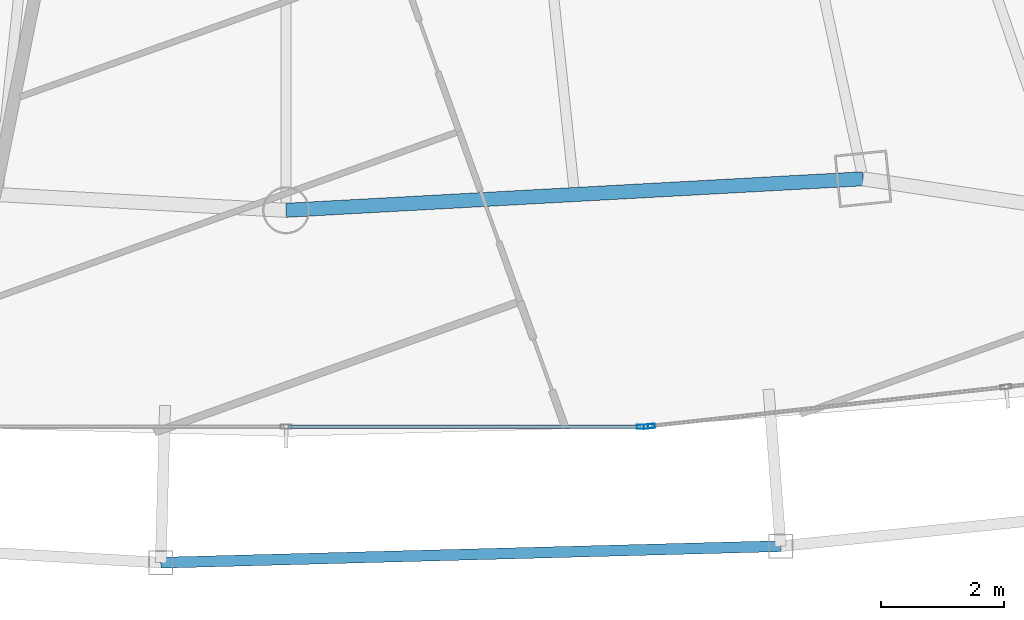
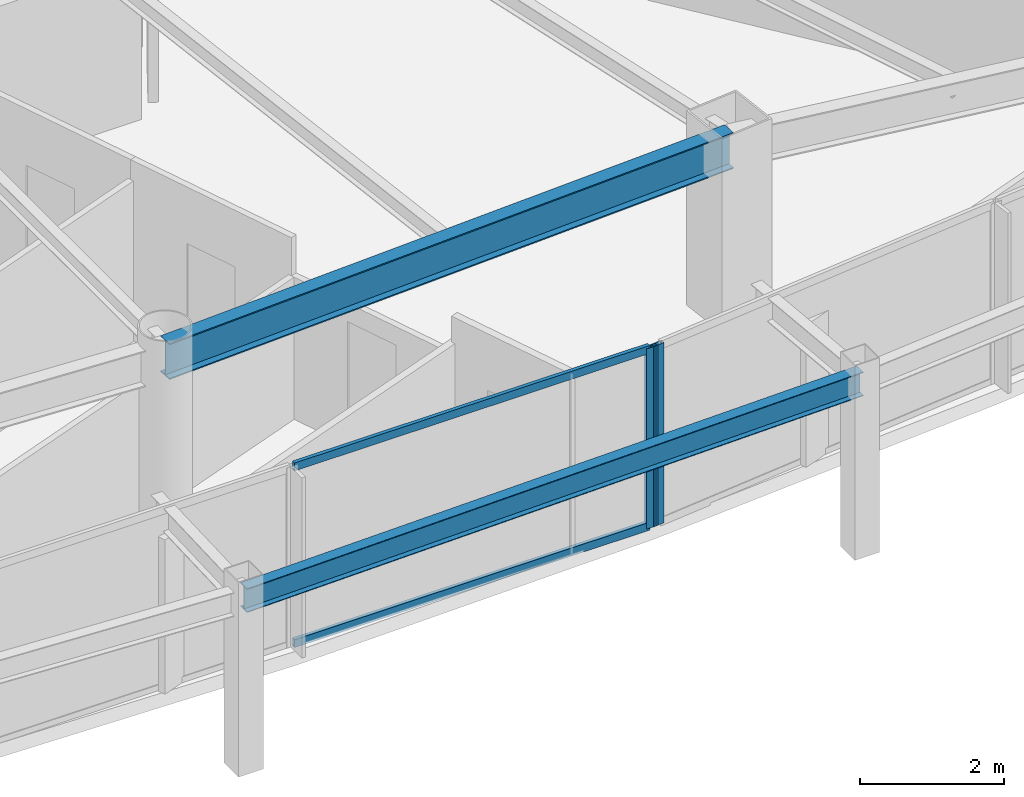
# One storey, part 8 of 30: 4 members, 2 beams, 2 elements without a shape of their own.
"""IFC4 building model written with IfcOpenShell, lengths in metres."""

import ifcopenshell
import ifcopenshell.guid

model = None  # the IFC model being written
_history = None  # IfcOwnerHistory: only IFC2X3 demands one
_inside = {}  # id of a spatial element -> (the spatial element, [elements in it])
_under = {}  # id of a project, library or spatial element -> (it, [spatial elements below it])
_declared = {}  # id of a project -> (the project, [libraries it declares])
_typed = {}  # id of a type object -> (the type object, [elements of that type])
_made_of = {}  # id of a material, layer set ... -> (it, [elements and type objects made of it])


def new_model(schema):
    """Start an empty IFC model of exactly this schema.

    Asked for "IFC4X3", IfcOpenShell would pick the latest addendum, in which some entities
    have other attributes; the version numbers below select the first issue.
    IFC2X3 requires an IfcOwnerHistory on every rooted entity: one is made here for all.
    """
    global model, _history
    if schema == "IFC4X3":
        model = ifcopenshell.file(schema_version=(4, 3, 0, 0))
    else:
        model = ifcopenshell.file(schema=schema)
    _inside.clear()
    _under.clear()
    _declared.clear()
    _typed.clear()
    _made_of.clear()
    _history = None
    if model.schema == "IFC2X3":
        org = make("IfcOrganization", Name="unknown")
        user = make(
            "IfcPersonAndOrganization",
            ThePerson=make("IfcPerson", FamilyName="unknown"),
            TheOrganization=org,
        )
        app = make(
            "IfcApplication",
            ApplicationDeveloper=org,
            Version="unknown",
            ApplicationFullName="unknown",
            ApplicationIdentifier="unknown",
        )
        _history = make(
            "IfcOwnerHistory",
            OwningUser=user,
            OwningApplication=app,
            ChangeAction="ADDED",
            CreationDate=0,
        )
    return model


def make(cls, **values):
    """One entity of the class cls with the attributes given. An attribute that is None is left unset."""
    return model.create_entity(
        cls, **{name: value for name, value in values.items() if value is not None}
    )


def rooted(cls, **values):
    """An entity with a GlobalId (a new one), such as an element, a storey or a relation."""
    return make(cls, GlobalId=ifcopenshell.guid.new(), OwnerHistory=_history, **values)


def si_unit(unit_type, name, prefix=None):
    """IfcSIUnit, for example si_unit("LENGTHUNIT", "METRE", prefix="MILLI")."""
    return make("IfcSIUnit", UnitType=unit_type, Prefix=prefix, Name=name)


def assignment(units):
    """IfcUnitAssignment: the units of a project."""
    return None if units is None else make("IfcUnitAssignment", Units=units)


def point(xyz):
    """IfcCartesianPoint."""
    return None if xyz is None else make("IfcCartesianPoint", Coordinates=xyz)


def direction(xyz):
    """IfcDirection."""
    return None if xyz is None else make("IfcDirection", DirectionRatios=xyz)


def frame(location, z_axis=None, x_axis=None):
    """IfcAxis2Placement3D, a coordinate frame: its origin and axes. An axis left out is left unset."""
    return make(
        "IfcAxis2Placement3D",
        Location=point(location),
        Axis=direction(z_axis),
        RefDirection=direction(x_axis),
    )


def frame_2d(location, x_axis=None):
    """IfcAxis2Placement2D, a coordinate frame in the plane: its origin and x axis."""
    return make(
        "IfcAxis2Placement2D", Location=point(location), RefDirection=direction(x_axis)
    )


def origin():
    """The frame at (0, 0, 0) with its axes left unset."""
    return frame((0.0, 0.0, 0.0))


def origin_2d():
    """The frame at (0, 0) in the plane with its x axis left unset."""
    return frame_2d((0.0, 0.0))


def place(relative_to, where):
    """IfcLocalPlacement: puts the frame where relative to a parent placement (None: the world)."""
    return make(
        "IfcLocalPlacement", PlacementRelTo=relative_to, RelativePlacement=where
    )


def context(
    kind, dimensions, precision=None, world=None, true_north=None, identifier=None
):
    """IfcGeometricRepresentationContext, for example the 3D "Model" context."""
    return make(
        "IfcGeometricRepresentationContext",
        ContextIdentifier=identifier,
        ContextType=kind,
        CoordinateSpaceDimension=dimensions,
        Precision=precision,
        WorldCoordinateSystem=world,
        TrueNorth=true_north,
    )


def subcontext(parent, identifier, kind, view, scale=None):
    """IfcGeometricRepresentationSubContext, for example "Body" below "Model"."""
    return make(
        "IfcGeometricRepresentationSubContext",
        ContextIdentifier=identifier,
        ContextType=kind,
        ParentContext=parent,
        TargetScale=scale,
        TargetView=view,
    )


def project(units=None, contexts=None):
    """IfcProject with its units and contexts."""
    return rooted(
        "IfcProject",
        Name="project",
        RepresentationContexts=contexts,
        UnitsInContext=assignment(units),
    )


def spatial(cls, under=None, at=None, **own):
    """A site, building, storey or space (cls), placed at a placement, below another one or the project."""
    s = rooted(cls, ObjectPlacement=at, **own)
    if under is not None:
        _under.setdefault(under.id(), (under, []))[1].append(s)
    return s


def profile(cls, at=None, kind="AREA", **sizes):
    """A parametric profile (cls). Its sizes go by their IFC names, for example OverallWidth=200.0."""
    return make(cls, ProfileType=kind, Position=at, **sizes)


def hollow_rectangle(**sizes):
    """IfcRectangleHollowProfileDef."""
    return profile("IfcRectangleHollowProfileDef", **sizes)


def i_section(**sizes):
    """IfcIShapeProfileDef."""
    return profile("IfcIShapeProfileDef", **sizes)


def extrude(swept, where, along, depth):
    """IfcExtrudedAreaSolid: the profile swept, set in the frame where, extruded along a direction by depth."""
    return make(
        "IfcExtrudedAreaSolid",
        SweptArea=swept,
        Position=where,
        ExtrudedDirection=direction(along),
        Depth=depth,
    )


def shape(context_of_items, identifier, shape_type, items):
    """IfcShapeRepresentation: the items that make up one representation, for example the "Body"."""
    return make(
        "IfcShapeRepresentation",
        ContextOfItems=context_of_items,
        RepresentationIdentifier=identifier,
        RepresentationType=shape_type,
        Items=items,
    )


def material(Name=None, Category=None):
    """IfcMaterial."""
    return make("IfcMaterial", Name=Name, Category=Category)


def layer(
    of_material, thickness, ventilated=None, Name=None, Category=None, Priority=None
):
    """IfcMaterialLayer: one layer of a wall or slab, of a material (None: an air gap)."""
    return make(
        "IfcMaterialLayer",
        Material=of_material,
        LayerThickness=thickness,
        IsVentilated=ventilated,
        Name=Name,
        Category=Category,
        Priority=Priority,
    )


def layer_set(layers, Name=None):
    """IfcMaterialLayerSet."""
    return make("IfcMaterialLayerSet", MaterialLayers=layers, LayerSetName=Name)


def material_profile(
    of_material, cross_section, Name=None, Category=None, Priority=None
):
    """IfcMaterialProfile: a cross section and its material."""
    return make(
        "IfcMaterialProfile",
        Name=Name,
        Material=of_material,
        Profile=cross_section,
        Priority=Priority,
        Category=Category,
    )


def profile_set(profiles, Name=None, composite=None):
    """IfcMaterialProfileSet."""
    return make(
        "IfcMaterialProfileSet",
        Name=Name,
        MaterialProfiles=profiles,
        CompositeProfile=composite,
    )


def made_of(thing, what):
    """Note that an element or type object is made of a material, layer set ...; save() writes the relation."""
    if what is not None:
        _made_of.setdefault(what.id(), (what, []))[1].append(thing)
    return thing


def type_object(cls, material=None, **own):
    """A type object (cls), such as IfcWallType, which elements share."""
    return made_of(rooted(cls, **own), material)


def element(
    cls,
    number,
    at=None,
    inside=None,
    cuts=None,
    type_object=None,
    material=None,
    context=None,
    identifier="Body",
    shape_type=None,
    held_by="IfcProductDefinitionShape",
    body=None,
    shapes=None,
    **own,
):
    """One element of the class cls, such as IfcWall. Its Tag is "e" and its number.

    at: its placement. inside: the storey or other place that contains it. cuts: it is an
    opening in that element (IfcRelVoidsElement). A single representation is given by context,
    identifier, shape_type and body (its items); several are given by shapes. held_by: the class
    of the entity that holds the representations. save() writes the other relations.
    """
    e = rooted(cls, Tag="e%d" % number, ObjectPlacement=at, **own)
    if body is not None:
        shapes = [shape(context, identifier, shape_type, body)]
    if shapes is not None:
        e.Representation = make(held_by, Representations=shapes)
    if inside is not None:
        _inside.setdefault(inside.id(), (inside, []))[1].append(e)
    if cuts is not None:
        rooted(
            "IfcRelVoidsElement", RelatingBuildingElement=cuts, RelatedOpeningElement=e
        )
    if type_object is not None:
        _typed.setdefault(type_object.id(), (type_object, []))[1].append(e)
    return made_of(e, material)


def aggregate(whole, parts):
    """IfcRelAggregates: a whole, such as a stair, and the parts it consists of."""
    return rooted("IfcRelAggregates", RelatingObject=whole, RelatedObjects=parts)


def save(model, path):
    """Write the relations noted so far, then the file.

    IfcRelAggregates (storeys below a building ...), IfcRelContainedInSpatialStructure (elements
    in a storey), IfcRelDefinesByType, IfcRelAssociatesMaterial and IfcRelDeclares: one each for
    every whole, place, type object, material and project.
    """
    for whole, parts in _under.values():
        aggregate(whole, parts)
    for where, things in _inside.values():
        rooted(
            "IfcRelContainedInSpatialStructure",
            RelatedElements=things,
            RelatingStructure=where,
        )
    for kind, things in _typed.values():
        rooted("IfcRelDefinesByType", RelatedObjects=things, RelatingType=kind)
    for what, things in _made_of.values():
        rooted("IfcRelAssociatesMaterial", RelatedObjects=things, RelatingMaterial=what)
    for by, libraries in _declared.values():
        rooted("IfcRelDeclares", RelatingContext=by, RelatedDefinitions=libraries)
    model.write(path)


model = new_model("IFC4")

# Units and contexts
model_context = context("Model", 3, precision=1e-05, world=origin(), true_north=direction((0.0, 1.0)))
body_context = subcontext(model_context, "Body", "Model", "MODEL_VIEW")
ifc_project = project(units=[si_unit("LENGTHUNIT", "METRE"), si_unit("AREAUNIT", "SQUARE_METRE"), si_unit("VOLUMEUNIT", "CUBIC_METRE"), si_unit("PLANEANGLEUNIT", "RADIAN"), si_unit("MASSUNIT", "GRAM", prefix="KILO")], contexts=[model_context])

# Site, building, storey
site_placement = place(None, origin())
site = spatial("IfcSite", under=ifc_project, at=site_placement, CompositionType="ELEMENT")
building_placement = place(site_placement, origin())
building = spatial("IfcBuilding", under=site, at=building_placement, Name="Orvanel Arch Residences", CompositionType="ELEMENT")
storey_placement = place(building_placement, frame((0.0, 0.0, 139.699951171875)))
storey = spatial("IfcBuildingStorey", under=building, at=storey_placement, Name="L39", CompositionType="ELEMENT", Elevation=139.699951171875)

# Curtain wall, member
ifc_material_1 = material(Name="Bronze-anodised aluminium AA6063-T6", Category="aluminium")
ifc_layer = layer(ifc_material_1, 0.179931640625)
ifc_layer_set = layer_set([ifc_layer], Name="Bronze-anodised aluminium AA6063-T6")
curtain_wall_type = type_object("IfcCurtainWallType", Name="CW3-MID-SYS", PredefinedType="NOTDEFINED", material=ifc_layer_set)
curtain_wall_1_placement = place(storey_placement, origin())
curtain_wall_1 = element("IfcCurtainWall", 1, at=curtain_wall_1_placement, inside=storey, type_object=curtain_wall_type, Name="L39 CW3-MID-SYS Unitised Curtain Wall", PredefinedType="NOTDEFINED")
ifc_material_profile_1 = material_profile(ifc_material_1, hollow_rectangle(XDim=0.070068359375, YDim=0.179931640625, WallThickness=0.00439453125, at=origin_2d()), Name="ALU180x70x4.5")
ifc_profile_set_1 = profile_set([ifc_material_profile_1], Name="Bronze-anodised aluminium AA6063-T6")
member_type_1 = type_object("IfcMemberType", Name="MUL-180x70", PredefinedType="MULLION", material=ifc_profile_set_1)
member_1_placement = place(storey_placement, frame((38.77587890625, 3.3369140625, 0.0), z_axis=(0.0, 0.0, 1.0), x_axis=(0.0, 1.0, 0.0)))
member_1 = element("IfcMember", 2, at=member_1_placement, type_object=member_type_1, Name="CW-S3 mullion 3", PredefinedType="MULLION", context=body_context, shape_type="SweptSolid", body=[
    extrude(hollow_rectangle(XDim=0.070068359375, YDim=0.179931640625, WallThickness=0.00439453125, at=origin_2d()), origin(), (0.0, 0.0, 1.0), 3.06005859375),
])

curtain_wall_2_placement = place(storey_placement, origin())
curtain_wall_2 = element("IfcCurtainWall", 3, at=curtain_wall_2_placement, inside=storey, type_object=curtain_wall_type, Name="L39 CW3-MID-SYS Unitised Curtain Wall", PredefinedType="NOTDEFINED")
member_2_placement = place(storey_placement, frame((38.8857421875, 3.3427734375, 0.0), z_axis=(0.0, 0.0, 1.0), x_axis=(-0.109856452012, 0.993947463376, 0.0)))
member_2 = element("IfcMember", 4, at=member_2_placement, type_object=member_type_1, Name="CW-S3 mullion 1", PredefinedType="MULLION", context=body_context, shape_type="SweptSolid", body=[
    extrude(hollow_rectangle(XDim=0.070068359375, YDim=0.179931640625, WallThickness=0.00439453125, at=origin_2d()), origin(), (0.0, 0.0, 1.0), 3.06005859375),
])
aggregate(curtain_wall_2, [member_2])

# Beams
ifc_material_2 = material(Name="Structural steel AS/NZS 3679.1 Grade 300 (300 MPa)", Category="steel")
ifc_material_profile_2 = material_profile(ifc_material_2, i_section(OverallWidth=0.177978515625, OverallDepth=0.406005859375, WebThickness=0.0078125, FlangeThickness=0.0126953125, at=origin_2d()), Name="410UB59.7")
ifc_profile_set_2 = profile_set([ifc_material_profile_2], Name="Structural steel AS/NZS 3679.1 Grade 300 (300 MPa)")
beam_type_1 = type_object("IfcBeamType", Name="OB-410UB-EXT", PredefinedType="SPANDREL", material=ifc_profile_set_2)
beam_1_placement = place(storey_placement, frame((30.967041015625, 1.132080078125, 2.85693359375), z_axis=(0.999645039407, 0.026641981687, 0.0), x_axis=(-0.026641981687, 0.999645039407, 0.0)))
element("IfcBeam", 5, at=beam_1_placement, inside=storey, type_object=beam_type_1, Name="L39 Outer Perimeter Floor Ring Beam 06", PredefinedType="SPANDREL", context=body_context, shape_type="SweptSolid", body=[
    extrude(i_section(OverallWidth=0.177978515625, OverallDepth=0.406005859375, WebThickness=0.0078125, FlangeThickness=0.0126953125, at=origin_2d()), origin(), (0.0, 0.0, 1.0), 10.052734375),
])
ifc_material_profile_3 = material_profile(ifc_material_2, i_section(OverallWidth=0.22900390625, OverallDepth=0.612060546875, WebThickness=0.011962890625, FlangeThickness=0.01953125, at=origin_2d()), Name="610UB125")
ifc_profile_set_3 = profile_set([ifc_material_profile_3], Name="Structural steel AS/NZS 3679.1 Grade 300 (300 MPa)")
beam_type_2 = type_object("IfcBeamType", Name="SP-610UB", PredefinedType="SPANDREL", material=ifc_profile_set_3)
beam_2_placement = place(storey_placement, frame((33.0, 6.843994140625, 2.754150390625), z_axis=(0.998510315598, 0.054563262768, 0.0), x_axis=(-0.054563262768, 0.998510315598, 0.0)))
element("IfcBeam", 6, at=beam_2_placement, inside=storey, type_object=beam_type_2, Name="L39 Perimeter Spandrel Beam 06", PredefinedType="SPANDREL", context=body_context, shape_type="SweptSolid", body=[
    extrude(i_section(OverallWidth=0.22900390625, OverallDepth=0.612060546875, WebThickness=0.011962890625, FlangeThickness=0.01953125, at=origin_2d()), origin(), (0.0, 0.0, 1.0), 9.364990234375),
])

# Member
ifc_material_profile_4 = material_profile(ifc_material_1, hollow_rectangle(XDim=0.06005859375, YDim=0.135009765625, WallThickness=0.00390625, at=origin_2d()), Name="ALU135x60x4")
ifc_profile_set_4 = profile_set([ifc_material_profile_4], Name="Bronze-anodised aluminium AA6063-T6")
member_type_2 = type_object("IfcMemberType", Name="TRN-135x60", PredefinedType="USERDEFINED", material=ifc_profile_set_4)
member_3_placement = place(storey_placement, frame((33.034912109375, 3.3369140625, 0.030029296875), z_axis=(1.0, 0.0, 0.0), x_axis=(0.0, 1.0, 0.0)))
member_3 = element("IfcMember", 7, at=member_3_placement, type_object=member_type_2, Name="CW-S3 transom 2.1", ObjectType="TRANSOM", PredefinedType="USERDEFINED", context=body_context, shape_type="SweptSolid", body=[
    extrude(hollow_rectangle(XDim=0.06005859375, YDim=0.135009765625, WallThickness=0.00390625, at=origin_2d()), origin(), (0.0, 0.0, 1.0), 5.7060546875),
])

member_4_placement = place(storey_placement, frame((33.034912109375, 3.3369140625, 3.030029296875), z_axis=(1.0, 0.0, 0.0), x_axis=(0.0, 1.0, 0.0)))
member_4 = element("IfcMember", 8, at=member_4_placement, type_object=member_type_2, Name="CW-S3 transom 2.2", ObjectType="TRANSOM", PredefinedType="USERDEFINED", context=body_context, shape_type="SweptSolid", body=[
    extrude(hollow_rectangle(XDim=0.06005859375, YDim=0.135009765625, WallThickness=0.00390625, at=origin_2d()), origin(), (0.0, 0.0, 1.0), 5.7060546875),
])

aggregate(curtain_wall_1, [member_1, member_3, member_4])

save(model, "model.ifc")
